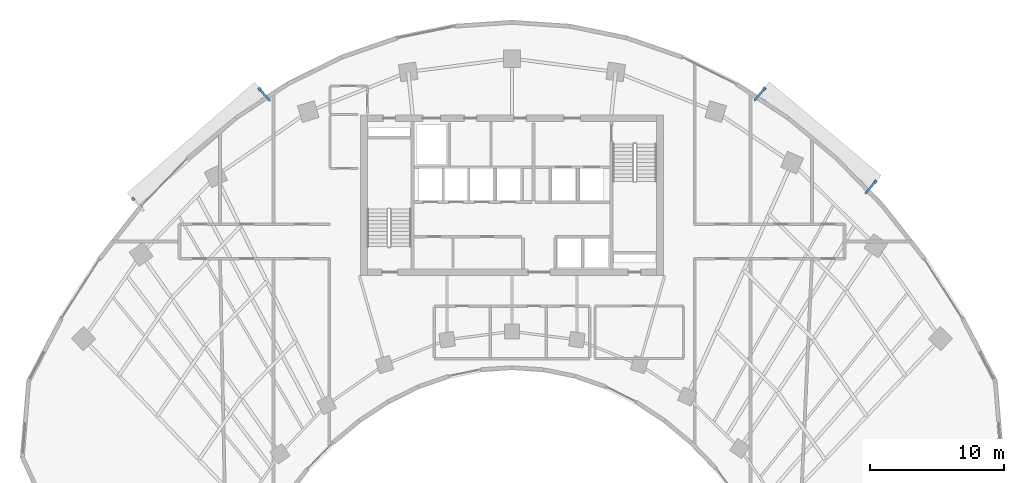
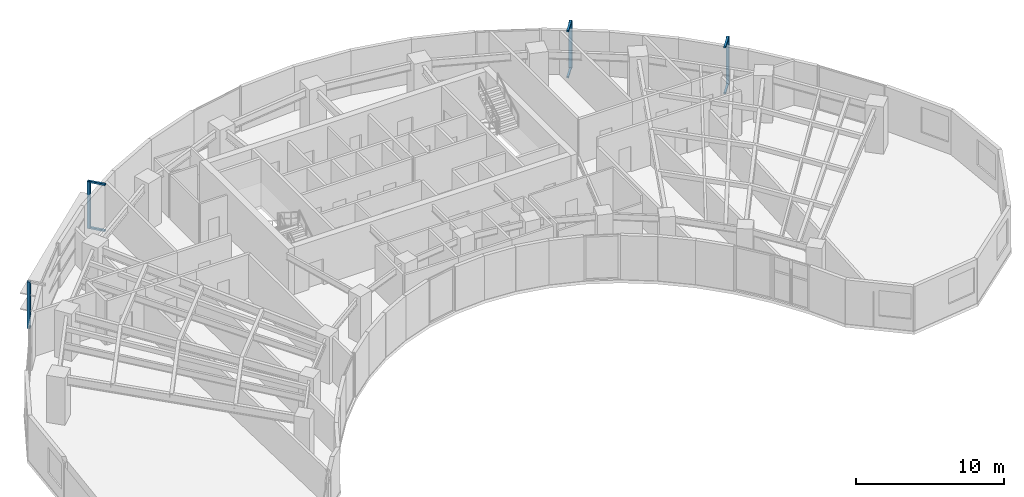
# One storey, part 12 of 14: 10 discrete accessories.
"""IFC4 building model written with IfcOpenShell, lengths in metres."""

from ifc_helpers import new_model, si_unit, direction, frame, origin, origin_2d, place, context, subcontext, project, spatial, rectangle, extrude, source, transform, mapped, material, type_object, type_shapes, element, save


model = new_model("IFC4")

# Units and contexts
model_context = context("Model", 3, precision=1e-05, world=origin(), true_north=direction((0.0, 1.0)))
body_context = subcontext(model_context, "Body", "Model", "MODEL_VIEW")
ifc_project = project(units=[si_unit("LENGTHUNIT", "METRE"), si_unit("AREAUNIT", "SQUARE_METRE"), si_unit("VOLUMEUNIT", "CUBIC_METRE"), si_unit("PLANEANGLEUNIT", "RADIAN"), si_unit("MASSUNIT", "GRAM", prefix="KILO")], contexts=[model_context])

# Site, building, storey
site_placement = place(None, origin())
site = spatial("IfcSite", under=ifc_project, at=site_placement, CompositionType="ELEMENT")
building_placement = place(site_placement, origin())
building = spatial("IfcBuilding", under=site, at=building_placement, Name="Breltana Convention Tower", CompositionType="ELEMENT")
storey_placement = place(building_placement, frame((0.0, 0.0, 138.89990234375)))
storey = spatial("IfcBuildingStorey", under=building, at=storey_placement, Name="L33", CompositionType="ELEMENT", Elevation=138.89990234375)

# Discrete accessories
ifc_material = material(Name="Steel S355", Category="steel")
discrete_accessory_type_1 = type_object("IfcDiscreteAccessoryType", Name="ACC-DSF-BRACKET-150", PredefinedType="BRACKET", material=ifc_material)
shared_shape_1 = source(origin(), body_context, "Body", "SweptSolid", [
    extrude(rectangle(XDim=1.239990234375, YDim=0.14990234375, at=origin_2d()), origin(), (0.0, 0.0, 1.0), 0.139892578125),
])
type_shapes(discrete_accessory_type_1, [shared_shape_1])
for number, where, z_axis, x_axis, name in (
    (1, (29.520751953125, 73.713623046875, -0.15966796875), (0.0, 0.0, 1.0), (-0.656454255701, 0.754365833115, 0.0), "L33 double-skin slab stand-off bracket 1.2B"),
    (2, (29.520751953125, 73.713623046875, 3.650390625), (0.0, 0.0, 1.0), (-0.656454255701, 0.754365833115, 0.0), "L33 double-skin slab stand-off bracket 1.2T"),
    (3, (66.487060546875, 73.735595703125, -0.15966796875), (0.0, 0.0, 1.0), (0.641987488939, 0.766715112702, 0.0), "L33 double-skin slab stand-off bracket 2.1B"),
    (4, (66.487060546875, 73.735595703125, 3.650390625), (0.0, 0.0, 1.0), (0.641987488939, 0.766715112702, 0.0), "L33 double-skin slab stand-off bracket 2.1T"),
    (5, (74.777099609375, 66.794189453125, -0.15966796875), (0.0, 0.0, 1.0), (0.641987488939, 0.766715112702, 0.0), "L33 double-skin slab stand-off bracket 2.2B"),
    (6, (74.777099609375, 66.794189453125, 3.650390625), (0.0, 0.0, 1.0), (0.641987488939, 0.766715112702, 0.0), "L33 double-skin slab stand-off bracket 2.2T"),
):
    element("IfcDiscreteAccessory", number, at=place(storey_placement, frame(where, z_axis=z_axis, x_axis=x_axis)), inside=storey, type_object=discrete_accessory_type_1, Name=name, PredefinedType="BRACKET", context=body_context, shape_type="MappedRepresentation", body=[
        mapped(shared_shape_1, transform((0.0, 0.0, 0.0), scale=1.0)),
    ])
discrete_accessory_type_2 = type_object("IfcDiscreteAccessoryType", Name="ACC-DSF-CARRIER-150", PredefinedType="BRACKET", material=ifc_material)
shared_shape_2 = source(origin(), body_context, "Body", "SweptSolid", [
    extrude(rectangle(XDim=0.219970703125, YDim=0.219970703125, at=origin_2d()), origin(), (0.0, 0.0, 1.0), 3.8701171875),
])
for number, where, z_axis, x_axis, name in (
    (7, (19.712646484375, 65.9208984375, -0.119873046875), (0.0, 0.0, 1.0), (-0.656454255701, 0.754365833115, 0.0), "L33 double-skin outer vertical carrier 1.1"),
    (8, (29.153076171875, 74.135986328125, -0.119873046875), (0.0, 0.0, 1.0), (-0.656454255701, 0.754365833115, 0.0), "L33 double-skin outer vertical carrier 1.2"),
    (9, (66.8466796875, 74.1650390625, -0.119873046875), (0.0, 0.0, 1.0), (0.641987488939, 0.766715112702, 0.0), "L33 double-skin outer vertical carrier 2.1"),
    (10, (75.13671875, 67.2236328125, -0.119873046875), (0.0, 0.0, 1.0), (0.641987488939, 0.766715112702, 0.0), "L33 double-skin outer vertical carrier 2.2"),
):
    element("IfcDiscreteAccessory", number, at=place(storey_placement, frame(where, z_axis=z_axis, x_axis=x_axis)), inside=storey, type_object=discrete_accessory_type_2, Name=name, PredefinedType="BRACKET", context=body_context, shape_type="MappedRepresentation", body=[
        mapped(shared_shape_2, transform((0.0, 0.0, 0.0), scale=1.0)),
    ])

save(model, "model.ifc")
